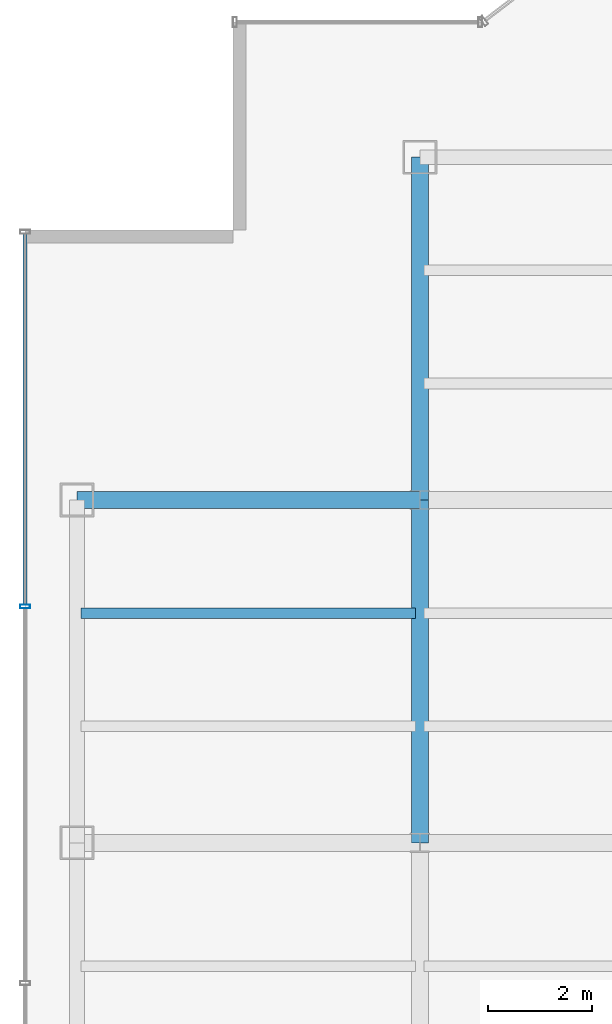
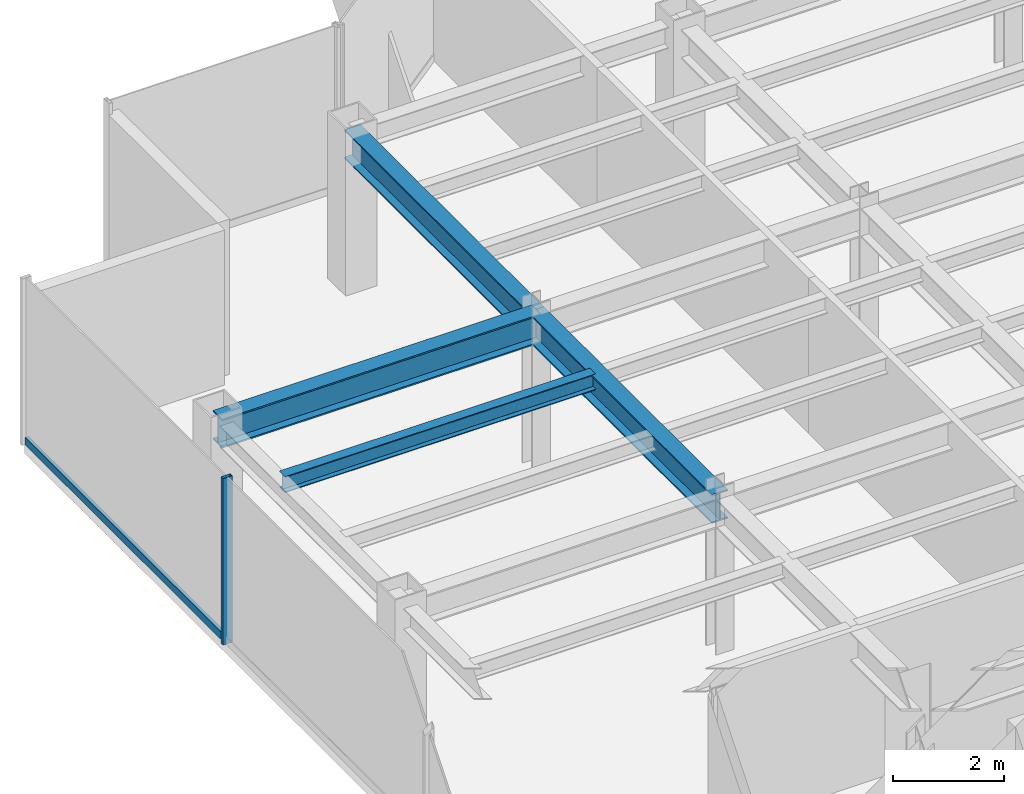
# One storey, part 7 of 25: 4 beams, 2 members, 1 element without a shape of its own.
"""IFC4 building model written with IfcOpenShell, lengths in metres."""

from ifc_helpers import new_model, si_unit, derived_unit, direction, frame, origin, origin_2d, place, context, subcontext, project, spatial, hollow_rectangle, i_section, extrude, source, transform, mapped, material, material_profile, profile_set, type_object, element, aggregate, save


model = new_model("IFC4")

# Units and contexts
model_context = context("Model", 3, precision=1e-05, world=origin(), true_north=direction((0.0, 1.0)))
body_context = subcontext(model_context, "Body", "Model", "MODEL_VIEW")
ifc_project = project(units=[si_unit("LENGTHUNIT", "METRE"), si_unit("AREAUNIT", "SQUARE_METRE"), si_unit("VOLUMEUNIT", "CUBIC_METRE"), si_unit("PLANEANGLEUNIT", "RADIAN"), si_unit("MASSUNIT", "GRAM", prefix="KILO"), derived_unit("THERMALTRANSMITTANCEUNIT", [(si_unit("POWERUNIT", "WATT"), 1), (si_unit("LENGTHUNIT", "METRE"), -2), (si_unit("THERMODYNAMICTEMPERATUREUNIT", "KELVIN"), -1)])], contexts=[model_context])

# Site, building, storey
site_placement = place(None, origin())
site = spatial("IfcSite", under=ifc_project, at=site_placement, CompositionType="ELEMENT")
building_placement = place(site_placement, origin())
building = spatial("IfcBuilding", under=site, at=building_placement, Name="Skarnbrae Concourse Arena and Tower", CompositionType="ELEMENT")
storey_placement = place(building_placement, frame((0.0, 0.0, 166.14990234375)))
storey = spatial("IfcBuildingStorey", under=building, at=storey_placement, Name="L42", CompositionType="ELEMENT", Elevation=166.14990234375)

# Beams
ifc_material_1 = material(Name="Steel CSA G40.21 350W", Category="steel")
ifc_material_profile_1 = material_profile(ifc_material_1, i_section(OverallWidth=0.3291015625, OverallDepth=0.635009765625, WebThickness=0.017822265625, FlangeThickness=0.031005859375, at=origin_2d()), Name="W610X241")
ifc_profile_set_1 = profile_set([ifc_material_profile_1], Name="Steel CSA G40.21 350W")
beam_type_1 = type_object("IfcBeamType", Name="BM-GIRD-W610X241", PredefinedType="BEAM", material=ifc_profile_set_1)
shared_shape_1 = source(origin(), body_context, "Body", "SweptSolid", [
    extrude(i_section(OverallWidth=0.3291015625, OverallDepth=0.635009765625, WebThickness=0.017822265625, FlangeThickness=0.031005859375, at=origin_2d()), origin(), (0.0, 0.0, 1.0), 6.60009765625),
])
for number, where, z_axis, x_axis, name in (
    (1, (1.0, 27.800048828125, 3.08251953125), (1.0, 0.0, 0.0), (0.0, 1.0, 0.0), "L42 Primary E-W girder Y27.8-1"),
    (2, (7.60009765625, 21.199951171875, 3.08251953125), (0.0, 1.0, 0.0), (-1.0, 0.0, 0.0), "L42 Primary N-S girder X7.6-2"),
):
    element("IfcBeam", number, at=place(storey_placement, frame(where, z_axis=z_axis, x_axis=x_axis)), inside=storey, type_object=beam_type_1, Name=name, PredefinedType="BEAM", context=body_context, shape_type="MappedRepresentation", body=[
        mapped(shared_shape_1, transform((0.0, 0.0, 0.0))),
    ])
shared_shape_2 = source(origin(), body_context, "Body", "SweptSolid", [
    extrude(i_section(OverallWidth=0.3291015625, OverallDepth=0.635009765625, WebThickness=0.017822265625, FlangeThickness=0.031005859375, at=origin_2d()), origin(), (0.0, 0.0, 1.0), 6.599853515625),
])
beam_1_placement = place(storey_placement, frame((7.60009765625, 27.800048828125, 3.08251953125), z_axis=(0.0, 1.0, 0.0), x_axis=(-1.0, 0.0, 0.0)))
element("IfcBeam", 3, at=beam_1_placement, inside=storey, type_object=beam_type_1, Name="L42 Primary N-S girder X7.6-3", PredefinedType="BEAM", context=body_context, shape_type="MappedRepresentation", body=[
    mapped(shared_shape_2, transform((0.0, 0.0, 0.0))),
])
ifc_material_profile_2 = material_profile(ifc_material_1, i_section(OverallWidth=0.205078125, OverallDepth=0.35400390625, WebThickness=0.009521484375, FlangeThickness=0.016845703125, at=origin_2d()), Name="W360X79")
ifc_profile_set_2 = profile_set([ifc_material_profile_2], Name="Steel CSA G40.21 350W")
beam_type_2 = type_object("IfcBeamType", Name="BM-JOIST-W360X79", PredefinedType="JOIST", material=ifc_profile_set_2)
shared_shape_3 = source(origin(), body_context, "Body", "SweptSolid", [
    extrude(i_section(OverallWidth=0.205078125, OverallDepth=0.35400390625, WebThickness=0.009521484375, FlangeThickness=0.016845703125, at=origin_2d()), origin(), (0.0, 0.0, 1.0), 6.43994140625),
])
beam_2_placement = place(storey_placement, frame((1.080078125, 25.6220703125, 3.22314453125), z_axis=(1.0, 0.0, 0.0), x_axis=(0.0, 1.0, 0.0)))
element("IfcBeam", 4, at=beam_2_placement, inside=storey, type_object=beam_type_2, Name="L42 Secondary floor joist 2.2.1", PredefinedType="JOIST", context=body_context, shape_type="MappedRepresentation", body=[
    mapped(shared_shape_3, transform((0.0, 0.0, 0.0))),
])

# Curtain wall, members
ifc_material_2 = material(Name="Bronze anodised aluminium 6063-T6", Category="aluminium")
curtain_wall_type = type_object("IfcCurtainWallType", Name="CW-SYS-04-MIDZONE", PredefinedType="USERDEFINED", material=ifc_material_2)
curtain_wall_placement = place(storey_placement, origin())
curtain_wall = element("IfcCurtainWall", 5, at=curtain_wall_placement, inside=storey, type_object=curtain_wall_type, Name="L42 Unitised curtain wall CW-L42-E18", ObjectType="UNITISED CURTAIN WALL", PredefinedType="USERDEFINED")
ifc_material_profile_3 = material_profile(ifc_material_2, hollow_rectangle(XDim=0.074951171875, YDim=0.195068359375, WallThickness=0.00439453125, at=origin_2d()), Name="ALU-MULL-75X195")
ifc_profile_set_3 = profile_set([ifc_material_profile_3], Name="Bronze anodised aluminium 6063-T6")
member_type_1 = type_object("IfcMemberType", Name="CWM-CW-04", PredefinedType="MULLION", material=ifc_profile_set_3)
shared_shape_4 = source(origin(), body_context, "Body", "SweptSolid", [
    extrude(hollow_rectangle(XDim=0.074951171875, YDim=0.195068359375, WallThickness=0.00439453125, at=origin_2d()), origin(), (0.0, 0.0, 1.0), 3.650146484375),
])
member_1_placement = place(storey_placement, frame((0.0, 25.75, 0.0), z_axis=(0.0, 0.0, 1.0), x_axis=(0.0, -1.0, 0.0)))
member_1 = element("IfcMember", 6, at=member_1_placement, type_object=member_type_1, Name="CW-L42-E18 Mullion 2", PredefinedType="MULLION", context=body_context, shape_type="MappedRepresentation", body=[
    mapped(shared_shape_4, transform((0.0, 0.0, 0.0))),
])
ifc_material_profile_4 = material_profile(ifc_material_2, hollow_rectangle(XDim=0.074951171875, YDim=0.159912109375, WallThickness=0.00439453125, at=origin_2d()), Name="ALU-TRAN-75X160")
ifc_profile_set_4 = profile_set([ifc_material_profile_4], Name="Bronze anodised aluminium 6063-T6")
member_type_2 = type_object("IfcMemberType", Name="CWT-CW-04", PredefinedType="USERDEFINED", material=ifc_profile_set_4)
shared_shape_5 = source(origin(), body_context, "Body", "SweptSolid", [
    extrude(hollow_rectangle(XDim=0.074951171875, YDim=0.159912109375, WallThickness=0.00439453125, at=origin_2d()), origin(), (0.0, 0.0, 1.0), 7.137451171875),
])
member_2_placement = place(storey_placement, frame((0.0, 32.925048828125, 0.080078125), z_axis=(0.0, -1.0, 0.0), x_axis=(1.0, 0.0, 0.0)))
member_2 = element("IfcMember", 7, at=member_2_placement, type_object=member_type_2, Name="CW-L42-E18 Transom 1", ObjectType="TRANSOM", PredefinedType="USERDEFINED", context=body_context, shape_type="MappedRepresentation", body=[
    mapped(shared_shape_5, transform((0.0, 0.0, 0.0))),
])
aggregate(curtain_wall, [member_1, member_2])

save(model, "model.ifc")
